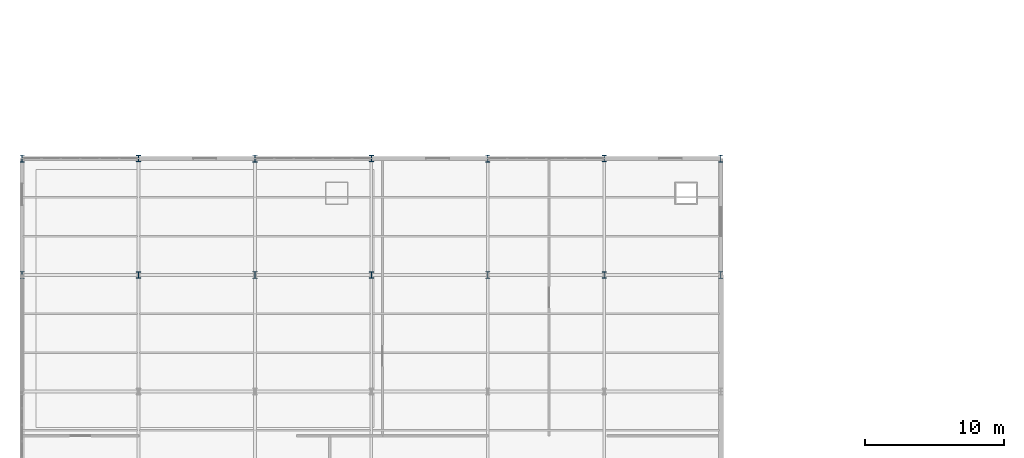
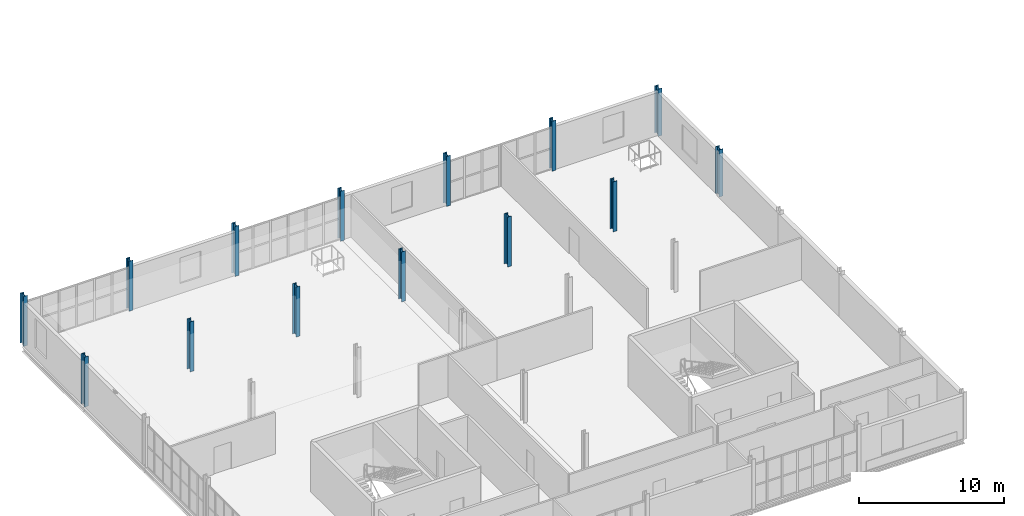
# One storey, part 3 of 65: 14 columns.
"""IFC4 building model written with IfcOpenShell, lengths in metres."""

from ifc_helpers import new_model, si_unit, direction, frame, origin, origin_2d, place, context, subcontext, project, spatial, i_section, extrude, material, material_profile, profile_set, type_object, element, save


model = new_model("IFC4")

# Units and contexts
model_context = context("Model", 3, precision=1e-05, world=origin(), true_north=direction((0.0, 1.0)))
body_context = subcontext(model_context, "Body", "Model", "MODEL_VIEW")
ifc_project = project(units=[si_unit("LENGTHUNIT", "METRE"), si_unit("AREAUNIT", "SQUARE_METRE"), si_unit("VOLUMEUNIT", "CUBIC_METRE"), si_unit("PLANEANGLEUNIT", "RADIAN"), si_unit("MASSUNIT", "GRAM", prefix="KILO")], contexts=[model_context])

# Site, building, storey
site_placement = place(None, origin())
site = spatial("IfcSite", under=ifc_project, at=site_placement, CompositionType="ELEMENT")
building_placement = place(site_placement, origin())
building = spatial("IfcBuilding", under=site, at=building_placement, Name="Qalvenar Corner Mobility Hub", CompositionType="ELEMENT")
storey_placement = place(building_placement, frame((0.0, 0.0, 17.39990234375)))
storey = spatial("IfcBuildingStorey", under=building, at=storey_placement, Name="L04", CompositionType="ELEMENT", Elevation=17.39990234375)

# Columns
ifc_material = material(Name="Steel S355", Category="steel")
ifc_material_profile_1 = material_profile(ifc_material, i_section(OverallWidth=0.300048828125, OverallDepth=0.449951171875, WebThickness=0.013916015625, FlangeThickness=0.02587890625, FilletRadius=0.027099609375, at=origin_2d()), Name="HEB450")
ifc_profile_set_1 = profile_set([ifc_material_profile_1], Name="Steel S355")
column_type_1 = type_object("IfcColumnType", Name="COL-HEB450", PredefinedType="COLUMN", material=ifc_profile_set_1)
for number, where, z_axis, x_axis, name in (
    (1, (8.39990234375, 33.60009765625, 0.0), (0.0, 0.0, 1.0), (1.0, 0.0, 0.0), "Steel Column L04-G2-4"),
    (2, (8.39990234375, 42.0, 0.0), (0.0, 0.0, 1.0), (1.0, 0.0, 0.0), "Steel Column L04-G2-5"),
    (3, (25.199951171875, 33.60009765625, 0.0), (0.0, 0.0, 1.0), (1.0, 0.0, 0.0), "Steel Column L04-G4-4"),
    (4, (25.199951171875, 42.0, 0.0), (0.0, 0.0, 1.0), (1.0, 0.0, 0.0), "Steel Column L04-G4-5"),
    (5, (42.0, 33.60009765625, 0.0), (0.0, 0.0, 1.0), (1.0, 0.0, 0.0), "Steel Column L04-G6-4"),
    (6, (42.0, 42.0, 0.0), (0.0, 0.0, 1.0), (1.0, 0.0, 0.0), "Steel Column L04-G6-5"),
):
    element("IfcColumn", number, at=place(storey_placement, frame(where, z_axis=z_axis, x_axis=x_axis)), inside=storey, type_object=column_type_1, Name=name, PredefinedType="COLUMN", context=body_context, shape_type="SweptSolid", body=[
        extrude(i_section(OverallWidth=0.300048828125, OverallDepth=0.449951171875, WebThickness=0.013916015625, FlangeThickness=0.02587890625, FilletRadius=0.027099609375, at=origin_2d()), origin(), (0.0, 0.0, 1.0), 4.2001953125),
    ])
ifc_material_profile_2 = material_profile(ifc_material, i_section(OverallWidth=0.300048828125, OverallDepth=0.5, WebThickness=0.014404296875, FlangeThickness=0.028076171875, FilletRadius=0.027099609375, at=origin_2d()), Name="HEB500")
ifc_profile_set_2 = profile_set([ifc_material_profile_2], Name="Steel S355")
column_type_2 = type_object("IfcColumnType", Name="COL-HEB500", PredefinedType="COLUMN", material=ifc_profile_set_2)
for number, where, z_axis, x_axis, name in (
    (7, (0.0, 33.60009765625, 0.0), (0.0, 0.0, 1.0), (1.0, 0.0, 0.0), "Steel Column L04-G1-4"),
    (8, (0.0, 42.0, 0.0), (0.0, 0.0, 1.0), (1.0, 0.0, 0.0), "Steel Column L04-G1-5"),
    (9, (16.800048828125, 33.60009765625, 0.0), (0.0, 0.0, 1.0), (1.0, 0.0, 0.0), "Steel Column L04-G3-4"),
    (10, (16.800048828125, 42.0, 0.0), (0.0, 0.0, 1.0), (1.0, 0.0, 0.0), "Steel Column L04-G3-5"),
    (11, (33.60009765625, 33.60009765625, 0.0), (0.0, 0.0, 1.0), (1.0, 0.0, 0.0), "Steel Column L04-G5-4"),
    (12, (33.60009765625, 42.0, 0.0), (0.0, 0.0, 1.0), (1.0, 0.0, 0.0), "Steel Column L04-G5-5"),
):
    element("IfcColumn", number, at=place(storey_placement, frame(where, z_axis=z_axis, x_axis=x_axis)), inside=storey, type_object=column_type_2, Name=name, PredefinedType="COLUMN", context=body_context, shape_type="SweptSolid", body=[
        extrude(i_section(OverallWidth=0.300048828125, OverallDepth=0.5, WebThickness=0.014404296875, FlangeThickness=0.028076171875, FilletRadius=0.027099609375, at=origin_2d()), origin(), (0.0, 0.0, 1.0), 4.2001953125),
    ])
for number, where, z_axis, x_axis, name in (
    (13, (50.39990234375, 33.60009765625, 0.0), (0.0, 0.0, 1.0), (1.0, 0.0, 0.0), "Steel Column L04-G7-4"),
    (14, (50.39990234375, 42.0, 0.0), (0.0, 0.0, 1.0), (1.0, 0.0, 0.0), "Steel Column L04-G7-5"),
):
    element("IfcColumn", number, at=place(storey_placement, frame(where, z_axis=z_axis, x_axis=x_axis)), inside=storey, type_object=column_type_2, Name=name, PredefinedType="COLUMN", context=body_context, shape_type="SweptSolid", body=[
        extrude(i_section(OverallWidth=0.300048828125, OverallDepth=0.5, WebThickness=0.014404296875, FlangeThickness=0.028076171875, FilletRadius=0.027099609375, at=origin_2d()), origin(), (0.0, 0.0, 1.0), 3.9580078125),
    ])

save(model, "model.ifc")
